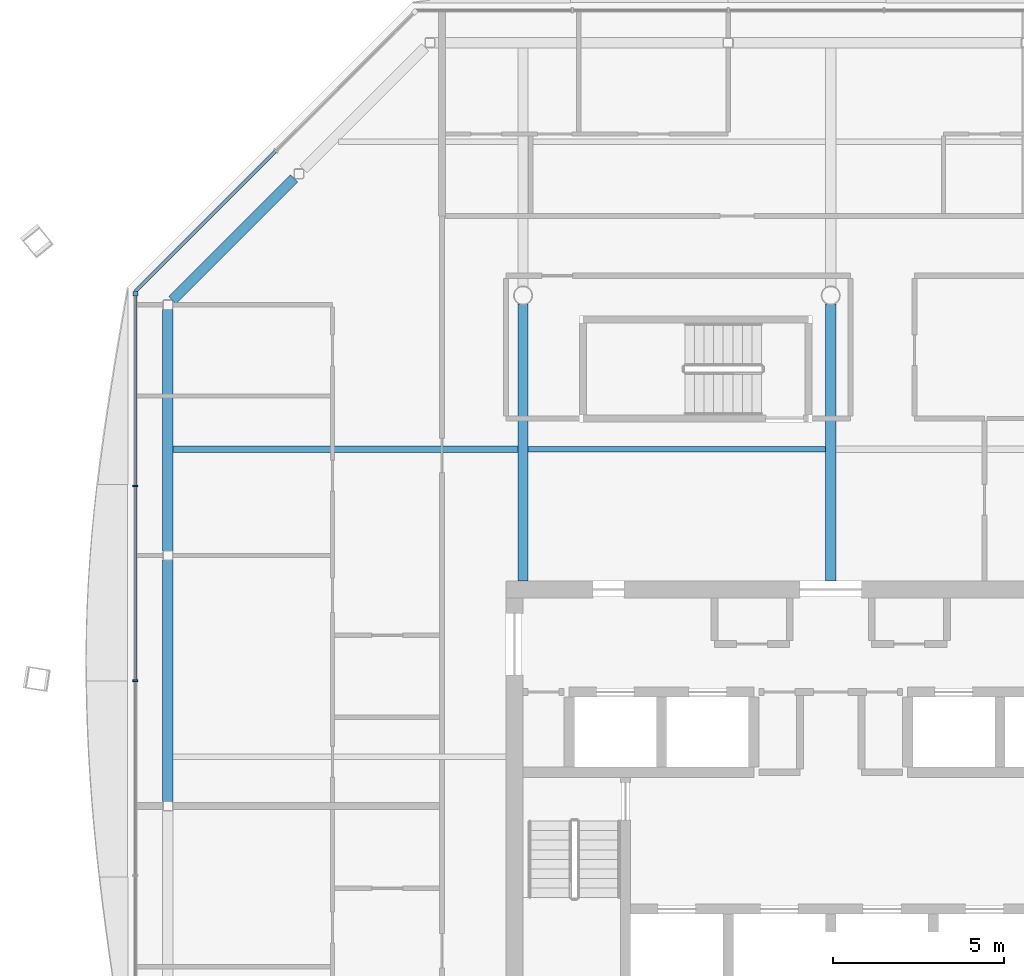
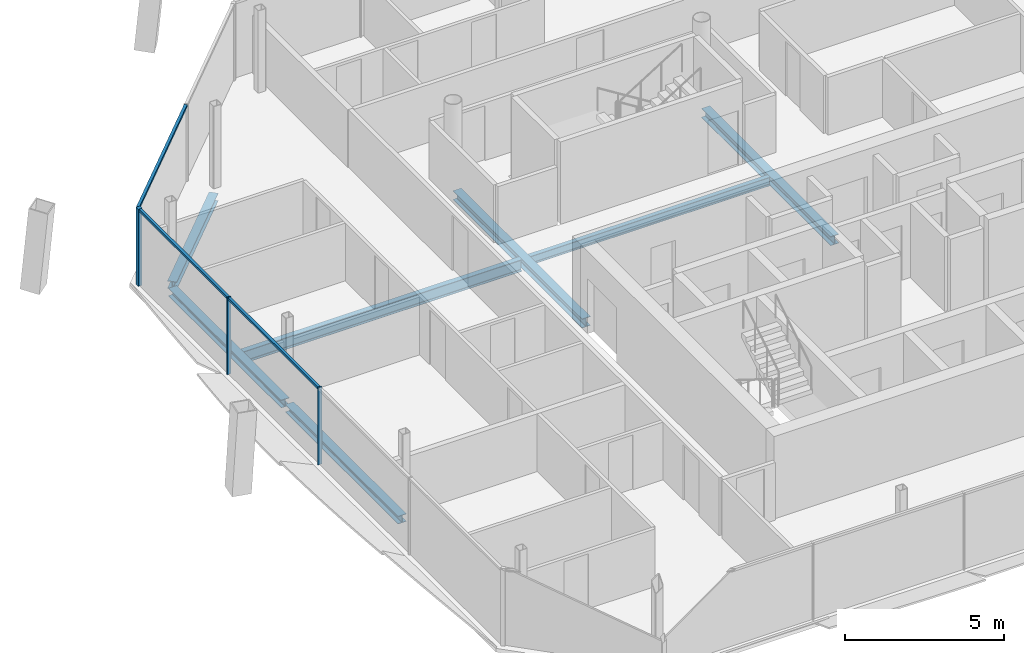
# One storey, part 5 of 16: 7 beams, 6 members, 2 elements without a shape of their own.
"""IFC4 building model written with IfcOpenShell, lengths in metres."""

from ifc_helpers import new_model, si_unit, direction, frame, origin, origin_2d, place, context, subcontext, project, spatial, rectangle, i_section, extrude, material, material_profile, profile_set, type_object, element, aggregate, save


model = new_model("IFC4")

# Units and contexts
model_context = context("Model", 3, precision=1e-05, world=origin(), true_north=direction((0.0, 1.0)))
body_context = subcontext(model_context, "Body", "Model", "MODEL_VIEW")
ifc_project = project(units=[si_unit("LENGTHUNIT", "METRE"), si_unit("AREAUNIT", "SQUARE_METRE"), si_unit("VOLUMEUNIT", "CUBIC_METRE"), si_unit("PLANEANGLEUNIT", "RADIAN"), si_unit("MASSUNIT", "GRAM", prefix="KILO")], contexts=[model_context])

# Site, building, storey
site_placement = place(None, origin())
site = spatial("IfcSite", under=ifc_project, at=site_placement, CompositionType="ELEMENT")
building_placement = place(site_placement, origin())
building = spatial("IfcBuilding", under=site, at=building_placement, Name="Tskaro Facet Tower", CompositionType="ELEMENT")
storey_placement = place(building_placement, frame((0.0, 0.0, 248.699951171875)))
storey = spatial("IfcBuildingStorey", under=building, at=storey_placement, Name="L65", CompositionType="ELEMENT", Elevation=248.699951171875)

# Curtain wall, members
ifc_material_1 = material(Name="Bronze anodised aluminium 6063-T6", Category="aluminium")
curtain_wall_type = type_object("IfcCurtainWallType", Name="Bronze residence curtain wall (FW3)", PredefinedType="NOTDEFINED", material=ifc_material_1)
curtain_wall_1_placement = place(storey_placement, origin())
curtain_wall_1 = element("IfcCurtainWall", 1, at=curtain_wall_1_placement, inside=storey, type_object=curtain_wall_type, Name="FW3 west facet L65", PredefinedType="NOTDEFINED")
ifc_material_profile_1 = material_profile(ifc_material_1, rectangle(XDim=0.139892578125, YDim=0.139892578125, at=origin_2d()), Name="Corner post 140x140")
ifc_profile_set_1 = profile_set([ifc_material_profile_1], Name="Bronze anodised aluminium 6063-T6")
member_type_1 = type_object("IfcMemberType", Name="FW3 bronze corner post 140x140", PredefinedType="MULLION", material=ifc_profile_set_1)
member_1_placement = place(storey_placement, frame((-20.341064453125, 9.048095703125, 0.0), z_axis=(0.0, 0.0, 1.0), x_axis=(0.0, -1.0, 0.0)))
member_1 = element("IfcMember", 2, at=member_1_placement, type_object=member_type_1, Name="FW3 west corner post", PredefinedType="MULLION", context=body_context, shape_type="SweptSolid", body=[
    extrude(rectangle(XDim=0.139892578125, YDim=0.139892578125, at=origin_2d()), origin(), (0.0, 0.0, 1.0), 2.949951171875),
])
ifc_material_profile_2 = material_profile(ifc_material_1, rectangle(XDim=0.050048828125, YDim=0.139892578125, at=origin_2d()), Name="Mullion 50x140")
ifc_profile_set_2 = profile_set([ifc_material_profile_2], Name="Bronze anodised aluminium 6063-T6")
member_type_2 = type_object("IfcMemberType", Name="FW3 bronze mullion 50x140", PredefinedType="MULLION", material=ifc_profile_set_2)
member_2_placement = place(storey_placement, frame((-20.341064453125, 3.42333984375, 0.0), z_axis=(0.0, 0.0, 1.0), x_axis=(0.0, -1.0, 0.0)))
member_2 = element("IfcMember", 3, at=member_2_placement, type_object=member_type_2, Name="FW3 west mullion 1", PredefinedType="MULLION", context=body_context, shape_type="SweptSolid", body=[
    extrude(rectangle(XDim=0.050048828125, YDim=0.139892578125, at=origin_2d()), origin(), (0.0, 0.0, 1.0), 2.949951171875),
])
member_3_placement = place(storey_placement, frame((-20.341064453125, -2.271484375, 0.0), z_axis=(0.0, 0.0, 1.0), x_axis=(0.0, -1.0, 0.0)))
member_3 = element("IfcMember", 4, at=member_3_placement, type_object=member_type_2, Name="FW3 west mullion 2", PredefinedType="MULLION", context=body_context, shape_type="SweptSolid", body=[
    extrude(rectangle(XDim=0.050048828125, YDim=0.139892578125, at=origin_2d()), origin(), (0.0, 0.0, 1.0), 2.949951171875),
])

# Curtain wall, member
curtain_wall_2_placement = place(storey_placement, origin())
curtain_wall_2 = element("IfcCurtainWall", 5, at=curtain_wall_2_placement, inside=storey, type_object=curtain_wall_type, Name="FW3 north-west facet L65", PredefinedType="NOTDEFINED")
ifc_material_profile_3 = material_profile(ifc_material_1, rectangle(XDim=0.10009765625, YDim=0.090087890625, at=origin_2d()), Name="Transom 100x90")
ifc_profile_set_3 = profile_set([ifc_material_profile_3], Name="Bronze anodised aluminium 6063-T6")
member_type_3 = type_object("IfcMemberType", Name="FW3 bronze transom 100x90", PredefinedType="USERDEFINED", material=ifc_profile_set_3)
member_4_placement = place(storey_placement, frame((-16.2470703125, 13.2119140625, 2.905029296875), z_axis=(-0.707106781187, -0.707106781187, 0.0), x_axis=(0.707106781187, -0.707106781187, 0.0)))
member_4 = element("IfcMember", 6, at=member_4_placement, type_object=member_type_3, Name="FW3 north-west transom 2.1", ObjectType="TRANSOM", PredefinedType="USERDEFINED", context=body_context, shape_type="SweptSolid", body=[
    extrude(rectangle(XDim=0.10009765625, YDim=0.090087890625, at=origin_2d()), origin(), (0.0, 0.0, 1.0), 5.789794921875),
])
aggregate(curtain_wall_2, [member_4])

# Member
member_5_placement = place(storey_placement, frame((-20.341064453125, 8.97802734375, 2.905029296875), z_axis=(0.0, -1.0, 0.0), x_axis=(1.0, 0.0, 0.0)))
member_5 = element("IfcMember", 7, at=member_5_placement, type_object=member_type_3, Name="FW3 west transom 1.1", ObjectType="TRANSOM", PredefinedType="USERDEFINED", context=body_context, shape_type="SweptSolid", body=[
    extrude(rectangle(XDim=0.10009765625, YDim=0.090087890625, at=origin_2d()), origin(), (0.0, 0.0, 1.0), 5.52978515625),
])

member_6_placement = place(storey_placement, frame((-20.341064453125, 3.398193359375, 2.905029296875), z_axis=(0.0, -1.0, 0.0), x_axis=(1.0, 0.0, 0.0)))
member_6 = element("IfcMember", 8, at=member_6_placement, type_object=member_type_3, Name="FW3 west transom 2.1", ObjectType="TRANSOM", PredefinedType="USERDEFINED", context=body_context, shape_type="SweptSolid", body=[
    extrude(rectangle(XDim=0.10009765625, YDim=0.090087890625, at=origin_2d()), origin(), (0.0, 0.0, 1.0), 5.644775390625),
])

aggregate(curtain_wall_1, [member_1, member_2, member_3, member_5, member_6])

# Beams
ifc_material_2 = material(Name="Steel S355J2", Category="steel")
ifc_material_profile_4 = material_profile(ifc_material_2, i_section(OverallWidth=0.300048828125, OverallDepth=0.300048828125, WebThickness=0.010986328125, FlangeThickness=0.01904296875, FilletRadius=0.027099609375, at=origin_2d()), Name="HE 300 B")
ifc_profile_set_4 = profile_set([ifc_material_profile_4], Name="Steel S355J2")
beam_type_1 = type_object("IfcBeamType", Name="HE 300 B ring beam", PredefinedType="BEAM", material=ifc_profile_set_4)
beam_1_placement = place(storey_placement, frame((-15.69384765625, 12.422119140625, -0.2900390625), z_axis=(-0.707106781187, -0.707106781187, 0.0), x_axis=(0.707106781187, -0.707106781187, 0.0)))
element("IfcBeam", 9, at=beam_1_placement, inside=storey, type_object=beam_type_1, Name="HE 300 B EB13-5", PredefinedType="BEAM", context=body_context, shape_type="SweptSolid", body=[
    extrude(i_section(OverallWidth=0.300048828125, OverallDepth=0.300048828125, WebThickness=0.010986328125, FlangeThickness=0.01904296875, FilletRadius=0.027099609375, at=origin_2d()), origin(), (0.0, 0.0, 1.0), 5.036376953125),
])
beam_2_placement = place(storey_placement, frame((-19.39111328125, 8.594970703125, -0.2900390625), z_axis=(0.0, -1.0, 0.0), x_axis=(1.0, 0.0, 0.0)))
element("IfcBeam", 10, at=beam_2_placement, inside=storey, type_object=beam_type_1, Name="HE 300 B EB14-5", PredefinedType="BEAM", context=body_context, shape_type="SweptSolid", body=[
    extrude(i_section(OverallWidth=0.300048828125, OverallDepth=0.300048828125, WebThickness=0.010986328125, FlangeThickness=0.01904296875, FilletRadius=0.027099609375, at=origin_2d()), origin(), (0.0, 0.0, 1.0), 7.071044921875),
])
beam_3_placement = place(storey_placement, frame((-19.39111328125, 1.263916015625, -0.2900390625), z_axis=(0.0, -1.0, 0.0), x_axis=(1.0, 0.0, 0.0)))
element("IfcBeam", 11, at=beam_3_placement, inside=storey, type_object=beam_type_1, Name="HE 300 B EB15-5", PredefinedType="BEAM", context=body_context, shape_type="SweptSolid", body=[
    extrude(i_section(OverallWidth=0.300048828125, OverallDepth=0.300048828125, WebThickness=0.010986328125, FlangeThickness=0.01904296875, FilletRadius=0.027099609375, at=origin_2d()), origin(), (0.0, 0.0, 1.0), 7.07080078125),
])
ifc_material_profile_5 = material_profile(ifc_material_2, i_section(OverallWidth=0.300048828125, OverallDepth=0.35009765625, WebThickness=0.010009765625, FlangeThickness=0.017578125, FilletRadius=0.027099609375, at=origin_2d()), Name="HE 360 A")
ifc_profile_set_5 = profile_set([ifc_material_profile_5], Name="Steel S355J2")
beam_type_2 = type_object("IfcBeamType", Name="HE 360 A girder", PredefinedType="BEAM", material=ifc_profile_set_5)
for number, where, z_axis, x_axis, name in (
    (12, (-9.0, 0.64990234375, -0.31494140625), (0.0, 1.0, 0.0), (-1.0, 0.0, 0.0), "HE 360 A GB3-2-5"),
    (13, (0.0, 0.64990234375, -0.31494140625), (0.0, 1.0, 0.0), (-1.0, 0.0, 0.0), "HE 360 A GB4-2-5"),
):
    element("IfcBeam", number, at=place(storey_placement, frame(where, z_axis=z_axis, x_axis=x_axis)), inside=storey, type_object=beam_type_2, Name=name, PredefinedType="BEAM", context=body_context, shape_type="SweptSolid", body=[
        extrude(i_section(OverallWidth=0.300048828125, OverallDepth=0.35009765625, WebThickness=0.010009765625, FlangeThickness=0.017578125, FilletRadius=0.027099609375, at=origin_2d()), origin(), (0.0, 0.0, 1.0), 8.1005859375),
    ])
ifc_material_profile_6 = material_profile(ifc_material_2, i_section(OverallWidth=0.159912109375, OverallDepth=0.330078125, WebThickness=0.007568359375, FlangeThickness=0.011474609375, FilletRadius=0.01806640625, at=origin_2d()), Name="IPE 330")
ifc_profile_set_6 = profile_set([ifc_material_profile_6], Name="Steel S355J2")
beam_type_3 = type_object("IfcBeamType", Name="IPE 330 secondary beam", PredefinedType="BEAM", material=ifc_profile_set_6)
beam_4_placement = place(storey_placement, frame((-8.85009765625, 4.5, -0.304931640625), z_axis=(1.0, 0.0, 0.0), x_axis=(0.0, 1.0, 0.0)))
element("IfcBeam", 14, at=beam_4_placement, inside=storey, type_object=beam_type_3, Name="IPE 330 SB4a-2-5", PredefinedType="BEAM", context=body_context, shape_type="SweptSolid", body=[
    extrude(i_section(OverallWidth=0.159912109375, OverallDepth=0.330078125, WebThickness=0.007568359375, FlangeThickness=0.011474609375, FilletRadius=0.01806640625, at=origin_2d()), origin(), (0.0, 0.0, 1.0), 8.7001953125),
])
ifc_material_profile_7 = material_profile(ifc_material_2, i_section(OverallWidth=0.18994140625, OverallDepth=0.449951171875, WebThickness=0.009521484375, FlangeThickness=0.0146484375, FilletRadius=0.02099609375, at=origin_2d()), Name="IPE 450")
ifc_profile_set_7 = profile_set([ifc_material_profile_7], Name="Steel S355J2")
beam_type_4 = type_object("IfcBeamType", Name="IPE 450 long secondary beam", PredefinedType="BEAM", material=ifc_profile_set_7)
beam_5_placement = place(storey_placement, frame((-19.240966796875, 4.5, -0.364990234375), z_axis=(1.0, 0.0, 0.0), x_axis=(0.0, 1.0, 0.0)))
element("IfcBeam", 15, at=beam_5_placement, inside=storey, type_object=beam_type_4, Name="IPE 450 LSB4a-1-5", PredefinedType="BEAM", context=body_context, shape_type="SweptSolid", body=[
    extrude(i_section(OverallWidth=0.18994140625, OverallDepth=0.449951171875, WebThickness=0.009521484375, FlangeThickness=0.0146484375, FilletRadius=0.02099609375, at=origin_2d()), origin(), (0.0, 0.0, 1.0), 10.091064453125),
])

save(model, "model.ifc")
